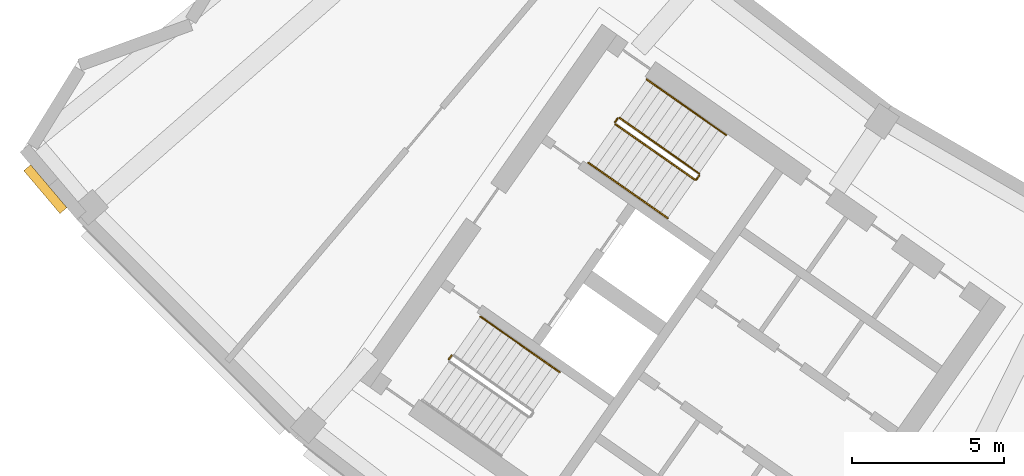
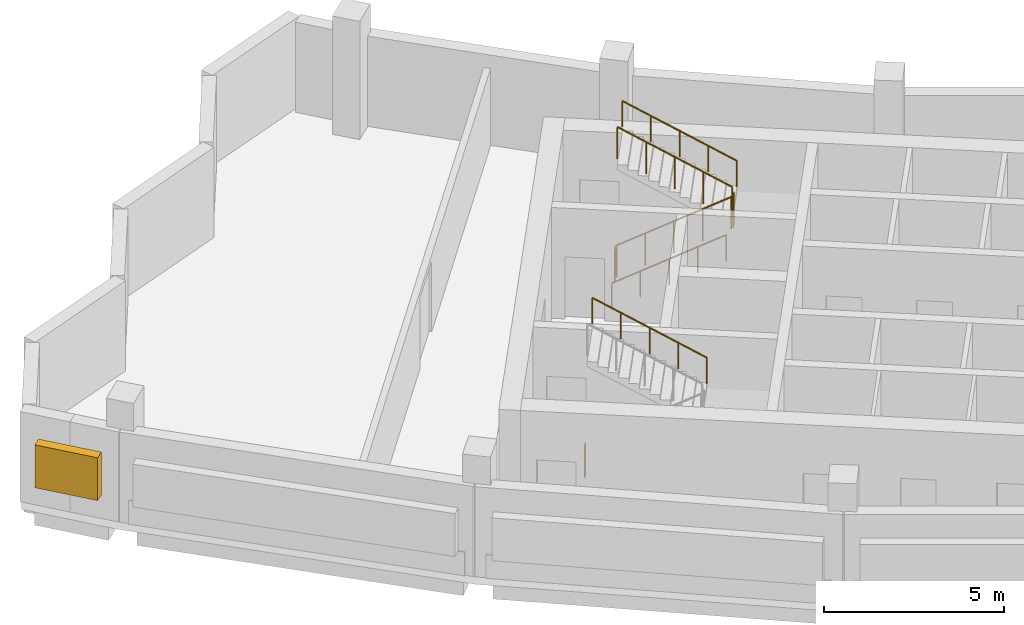
# One storey, part 9 of 11: 7 railings, 1 shading device.
"""IFC4 building model written with IfcOpenShell, lengths in metres."""

from ifc_helpers import new_model, si_unit, direction, frame, origin, origin_2d, place, context, subcontext, project, spatial, rectangle, circle, extrude, material, type_object, element, save


model = new_model("IFC4")

# Units and contexts
model_context = context("Model", 3, precision=1e-05, world=origin(), true_north=direction((0.0, 1.0)))
body_context = subcontext(model_context, "Body", "Model", "MODEL_VIEW")
ifc_project = project(units=[si_unit("LENGTHUNIT", "METRE"), si_unit("AREAUNIT", "SQUARE_METRE"), si_unit("VOLUMEUNIT", "CUBIC_METRE"), si_unit("PLANEANGLEUNIT", "RADIAN"), si_unit("MASSUNIT", "GRAM", prefix="KILO")], contexts=[model_context])

# Site, building, storey
site_placement = place(None, origin())
site = spatial("IfcSite", under=ifc_project, at=site_placement, CompositionType="ELEMENT")
building_placement = place(site_placement, origin())
building = spatial("IfcBuilding", under=site, at=building_placement, Name="Qamariyya Broadcast Tower", CompositionType="ELEMENT")
storey_placement = place(building_placement, frame((0.0, 0.0, 314.699951171875)))
storey = spatial("IfcBuildingStorey", under=building, at=storey_placement, Name="L76", CompositionType="ELEMENT", Elevation=314.699951171875)

# Railings
ifc_material_1 = material(Name="Painted steel", Category="steel")
railing_type_1 = type_object("IfcRailingType", Name="Stair guard", PredefinedType="GUARDRAIL", material=ifc_material_1)
railing_1_placement = place(storey_placement, frame((-41.146728515625, -48.52490234375, 0.166748046875)))
element("IfcRailing", 1, at=railing_1_placement, inside=storey, type_object=railing_type_1, Name="L76 ST-W2 stair guard 1", PredefinedType="GUARDRAIL", context=body_context, shape_type="SweptSolid", body=[
    extrude(circle(Radius=0.02392578125, at=origin_2d()), frame((0.0, 0.0, 1.076171875), z_axis=(0.710227693972, -0.497285465629, 0.498280832854), x_axis=(0.573559936391, 0.819163597438, 0.0)), (0.0, 0.0, 1.0), 3.67919921875),
    extrude(circle(Radius=0.02392578125, at=origin_2d()), frame((2.613037109375, -1.82958984375, 2.9091796875), z_axis=(0.985059694769, 0.172213233351, 0.0), x_axis=(-0.172213233351, 0.985059694769, 0.0)), (0.0, 0.0, 1.0), 0.07080078125),
    extrude(circle(Radius=0.02392578125, at=origin_2d()), frame((2.682861328125, -1.8173828125, 2.9091796875), z_axis=(0.573353020881, 0.819308436089, 0.0), x_axis=(-0.819308436089, 0.573353020881, 0.0)), (0.0, 0.0, 1.0), 0.14990234375),
    extrude(circle(Radius=0.02099609375, at=origin_2d()), origin(), (0.0, 0.0, 1.0), 1.052001953125),
    extrude(circle(Radius=0.02099609375, at=origin_2d()), frame((0.6533203125, -0.45751953125, 0.458251953125)), (0.0, 0.0, 1.0), 1.052001953125),
    extrude(circle(Radius=0.02099609375, at=origin_2d()), frame((1.306640625, -0.914794921875, 0.91650390625)), (0.0, 0.0, 1.0), 1.052001953125),
    extrude(circle(Radius=0.02099609375, at=origin_2d()), frame((1.959716796875, -1.3720703125, 1.375)), (0.0, 0.0, 1.0), 1.052001953125),
    extrude(circle(Radius=0.02099609375, at=origin_2d()), frame((2.613037109375, -1.82958984375, 1.833251953125)), (0.0, 0.0, 1.0), 1.052001953125),
    extrude(circle(Radius=0.02099609375, at=origin_2d()), frame((2.682861328125, -1.8173828125, 1.833251953125)), (0.0, 0.0, 1.0), 1.052001953125),
    extrude(circle(Radius=0.02099609375, at=origin_2d()), frame((2.768798828125, -1.694580078125, 1.833251953125)), (0.0, 0.0, 1.0), 1.052001953125),
])
railing_2_placement = place(storey_placement, frame((-38.39013671875, -50.14990234375, 2.166748046875)))
element("IfcRailing", 2, at=railing_2_placement, inside=storey, type_object=railing_type_1, Name="L76 ST-W2 stair guard 2", PredefinedType="GUARDRAIL", context=body_context, shape_type="SweptSolid", body=[
    extrude(circle(Radius=0.02392578125, at=origin_2d()), frame((0.0, 0.0, 1.076171875), z_axis=(-0.710204256923, 0.497335411159, 0.498264389913), x_axis=(-0.573611290809, -0.819127637829, 0.0)), (0.0, 0.0, 1.0), 3.67919921875),
    extrude(circle(Radius=0.02099609375, at=origin_2d()), origin(), (0.0, 0.0, 1.0), 1.052001953125),
    extrude(circle(Radius=0.02099609375, at=origin_2d()), frame((-0.6533203125, 0.45751953125, 0.458251953125)), (0.0, 0.0, 1.0), 1.052001953125),
    extrude(circle(Radius=0.02099609375, at=origin_2d()), frame((-1.306640625, 0.9150390625, 0.91650390625)), (0.0, 0.0, 1.0), 1.052001953125),
    extrude(circle(Radius=0.02099609375, at=origin_2d()), frame((-1.959716796875, 1.372314453125, 1.375)), (0.0, 0.0, 1.0), 1.052001953125),
    extrude(circle(Radius=0.02099609375, at=origin_2d()), frame((-2.613037109375, 1.829833984375, 1.833251953125)), (0.0, 0.0, 1.0), 1.052001953125),
])
railing_3_placement = place(storey_placement, frame((-41.158935546875, -48.455322265625, 0.0)))
element("IfcRailing", 3, at=railing_3_placement, inside=storey, type_object=railing_type_1, Name="L76 ST-W2 stair guard 3", PredefinedType="GUARDRAIL", context=body_context, shape_type="SweptSolid", body=[
    extrude(circle(Radius=0.02392578125, at=origin_2d()), frame((0.0, 0.0, 1.076171875), z_axis=(0.572588637393, 0.819842821722, 0.0), x_axis=(-0.819842821722, 0.572588637393, 0.0)), (0.0, 0.0, 1.0), 0.150146484375),
    extrude(circle(Radius=0.02099609375, at=origin_2d()), origin(), (0.0, 0.0, 1.0), 1.052001953125),
    extrude(circle(Radius=0.02099609375, at=origin_2d()), frame((0.0859375, 0.123046875, 0.0)), (0.0, 0.0, 1.0), 1.052001953125),
])
railing_4_placement = place(storey_placement, frame((-46.63671875, -56.278076171875, 0.0)))
element("IfcRailing", 4, at=railing_4_placement, inside=storey, type_object=railing_type_1, Name="L76 ST-W1 stair guard 3", PredefinedType="GUARDRAIL", context=body_context, shape_type="SweptSolid", body=[
    extrude(circle(Radius=0.02392578125, at=origin_2d()), frame((0.0, 0.0, 1.076171875), z_axis=(0.574444878118, 0.818543268254, 0.0), x_axis=(-0.818543268254, 0.574444878118, 0.0)), (0.0, 0.0, 1.0), 0.150146484375),
    extrude(circle(Radius=0.02099609375, at=origin_2d()), origin(), (0.0, 0.0, 1.0), 1.052001953125),
    extrude(circle(Radius=0.02099609375, at=origin_2d()), frame((0.086181640625, 0.122802734375, 0.0)), (0.0, 0.0, 1.0), 1.052001953125),
])
ifc_material_2 = material(Name="Stainless steel", Category="steel")
railing_type_2 = type_object("IfcRailingType", Name="Stair handrail", PredefinedType="HANDRAIL", material=ifc_material_2)
railing_5_placement = place(storey_placement, frame((-42.03564453125, -49.79443359375, 0.166748046875)))
element("IfcRailing", 5, at=railing_5_placement, inside=storey, type_object=railing_type_2, Name="L76 ST-W2 stair handrail 1", PredefinedType="HANDRAIL", context=body_context, shape_type="SweptSolid", body=[
    extrude(circle(Radius=0.02392578125, at=origin_2d()), frame((0.0, 0.0, 0.8759765625), z_axis=(0.710204256923, -0.497335411159, 0.498264389913), x_axis=(0.573611290809, 0.819127637829, 0.0)), (0.0, 0.0, 1.0), 3.67919921875),
    extrude(circle(Radius=0.02099609375, at=origin_2d()), origin(), (0.0, 0.0, 1.0), 0.851806640625),
    extrude(circle(Radius=0.02099609375, at=origin_2d()), frame((0.6533203125, -0.45751953125, 0.458251953125)), (0.0, 0.0, 1.0), 0.851806640625),
    extrude(circle(Radius=0.02099609375, at=origin_2d()), frame((1.306640625, -0.9150390625, 0.91650390625)), (0.0, 0.0, 1.0), 0.851806640625),
    extrude(circle(Radius=0.02099609375, at=origin_2d()), frame((1.959716796875, -1.372314453125, 1.375)), (0.0, 0.0, 1.0), 0.851806640625),
    extrude(circle(Radius=0.02099609375, at=origin_2d()), frame((2.613037109375, -1.829833984375, 1.833251953125)), (0.0, 0.0, 1.0), 0.851806640625),
])
railing_6_placement = place(storey_placement, frame((-37.501220703125, -48.880126953125, 2.166748046875)))
element("IfcRailing", 6, at=railing_6_placement, inside=storey, type_object=railing_type_2, Name="L76 ST-W2 stair handrail 2", PredefinedType="HANDRAIL", context=body_context, shape_type="SweptSolid", body=[
    extrude(circle(Radius=0.02392578125, at=origin_2d()), frame((0.0, 0.0, 0.8759765625), z_axis=(-0.710204256923, 0.497335411159, 0.498264389913), x_axis=(-0.573611290809, -0.819127637829, 0.0)), (0.0, 0.0, 1.0), 3.67919921875),
    extrude(circle(Radius=0.02099609375, at=origin_2d()), origin(), (0.0, 0.0, 1.0), 0.851806640625),
    extrude(circle(Radius=0.02099609375, at=origin_2d()), frame((-0.6533203125, 0.45751953125, 0.458251953125)), (0.0, 0.0, 1.0), 0.851806640625),
    extrude(circle(Radius=0.02099609375, at=origin_2d()), frame((-1.306640625, 0.9150390625, 0.91650390625)), (0.0, 0.0, 1.0), 0.851806640625),
    extrude(circle(Radius=0.02099609375, at=origin_2d()), frame((-1.959716796875, 1.372314453125, 1.375)), (0.0, 0.0, 1.0), 0.851806640625),
    extrude(circle(Radius=0.02099609375, at=origin_2d()), frame((-2.613037109375, 1.829833984375, 1.833251953125)), (0.0, 0.0, 1.0), 0.851806640625),
])
railing_7_placement = place(storey_placement, frame((-42.978759765625, -56.702880859375, 2.166748046875)))
element("IfcRailing", 7, at=railing_7_placement, inside=storey, type_object=railing_type_2, Name="L76 ST-W1 stair handrail 2", PredefinedType="HANDRAIL", context=body_context, shape_type="SweptSolid", body=[
    extrude(circle(Radius=0.02392578125, at=origin_2d()), frame((0.0, 0.0, 0.8759765625), z_axis=(-0.710227693972, 0.497285465629, 0.498280832854), x_axis=(-0.573559936391, -0.819163597438, 0.0)), (0.0, 0.0, 1.0), 3.67919921875),
    extrude(circle(Radius=0.02099609375, at=origin_2d()), origin(), (0.0, 0.0, 1.0), 0.851806640625),
    extrude(circle(Radius=0.02099609375, at=origin_2d()), frame((-0.6533203125, 0.45751953125, 0.458251953125)), (0.0, 0.0, 1.0), 0.851806640625),
    extrude(circle(Radius=0.02099609375, at=origin_2d()), frame((-1.306640625, 0.914794921875, 0.91650390625)), (0.0, 0.0, 1.0), 0.851806640625),
    extrude(circle(Radius=0.02099609375, at=origin_2d()), frame((-1.959716796875, 1.3720703125, 1.375)), (0.0, 0.0, 1.0), 0.851806640625),
    extrude(circle(Radius=0.02099609375, at=origin_2d()), frame((-2.613037109375, 1.82958984375, 1.833251953125)), (0.0, 0.0, 1.0), 0.851806640625),
])

# Shading device
ifc_material_3 = material(Name="Glazed terracotta", Category="masonry")
shading_device_type = type_object("IfcShadingDeviceType", Name="Terracotta louvre bank", PredefinedType="USERDEFINED", material=ifc_material_3)
shading_device_placement = place(storey_placement, frame((-59.94140625, -50.66796875, 0.80029296875), z_axis=(0.0, 0.0, 1.0), x_axis=(0.645559567332, -0.763709922042, 0.0)))
element("IfcShadingDevice", 8, at=shading_device_placement, inside=storey, type_object=shading_device_type, Name="e-lv-L76-00", ObjectType="LOUVRE", PredefinedType="USERDEFINED", context=body_context, shape_type="SweptSolid", body=[
    extrude(rectangle(XDim=1.8505859375, YDim=0.300048828125, at=origin_2d()), origin(), (0.0, 0.0, 1.0), 1.449951171875),
])

save(model, "model.ifc")
